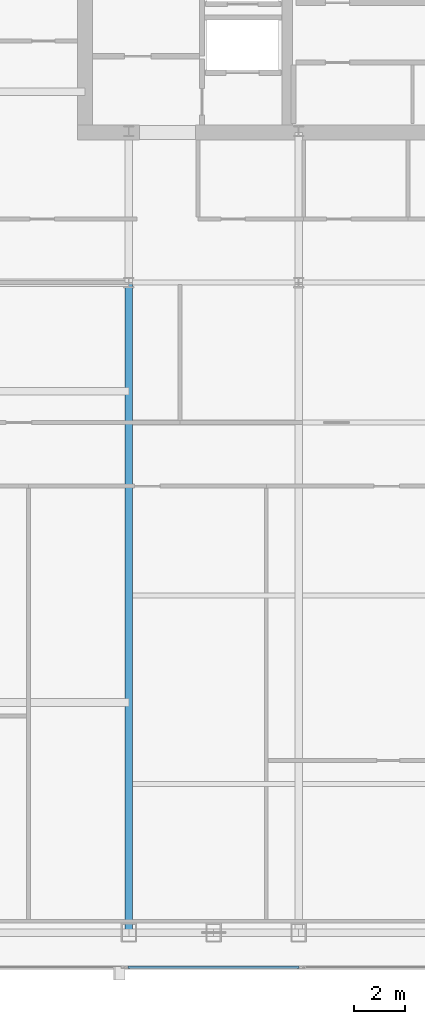
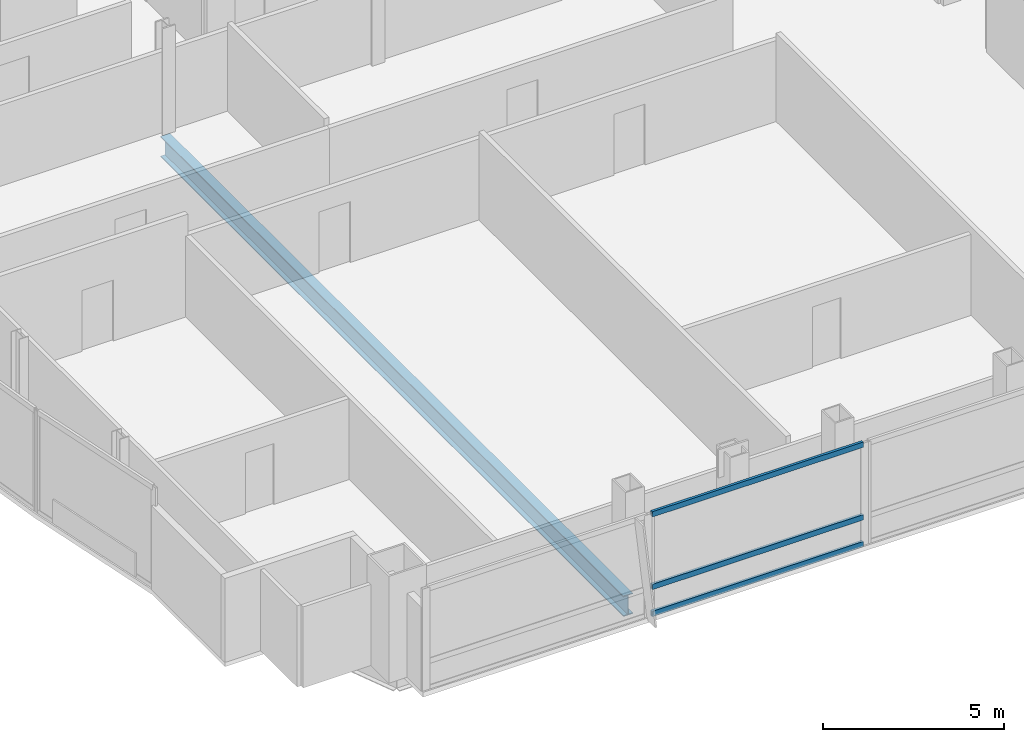
# One storey, part 7 of 30: 3 members, 1 beam, 1 element without a shape of its own.
"""IFC4 building model written with IfcOpenShell, lengths in metres."""

from ifc_helpers import new_model, si_unit, direction, frame, origin, origin_2d, place, context, subcontext, project, spatial, hollow_rectangle, i_section, extrude, material, material_profile, profile_set, type_object, element, aggregate, save


model = new_model("IFC4")

# Units and contexts
model_context = context("Model", 3, precision=1e-05, world=origin(), true_north=direction((0.0, 1.0)))
body_context = subcontext(model_context, "Body", "Model", "MODEL_VIEW")
ifc_project = project(units=[si_unit("LENGTHUNIT", "METRE"), si_unit("AREAUNIT", "SQUARE_METRE"), si_unit("VOLUMEUNIT", "CUBIC_METRE"), si_unit("PLANEANGLEUNIT", "RADIAN"), si_unit("MASSUNIT", "GRAM", prefix="KILO")], contexts=[model_context])

# Site, building, storey
site_placement = place(None, origin())
site = spatial("IfcSite", under=ifc_project, at=site_placement, CompositionType="ELEMENT")
building_placement = place(site_placement, origin())
building = spatial("IfcBuilding", under=site, at=building_placement, Name="Khoronbel Lancet Exchange", CompositionType="ELEMENT")
storey_placement = place(building_placement, frame((0.0, 0.0, 206.60009765625)))
storey = spatial("IfcBuildingStorey", under=building, at=storey_placement, Name="L52", CompositionType="ELEMENT", Elevation=206.60009765625)

# Beam
ifc_material_1 = material(Name="Steel S355", Category="steel")
ifc_material_profile_1 = material_profile(ifc_material_1, i_section(OverallWidth=0.300048828125, OverallDepth=0.699951171875, WebThickness=0.01708984375, FlangeThickness=0.031982421875, at=origin_2d()), Name="HEB 700")
ifc_profile_set_1 = profile_set([ifc_material_profile_1], Name="Steel S355")
beam_type = type_object("IfcBeamType", Name="BM-BG3", PredefinedType="BEAM", material=ifc_profile_set_1)
beam_placement = place(storey_placement, frame((18.22509765625, 10.14990234375, -0.510009765625), z_axis=(0.0, 1.0, 0.0), x_axis=(-1.0, 0.0, 0.0)))
element("IfcBeam", 1, at=beam_placement, inside=storey, type_object=beam_type, Name="Level L52 south primary girder GS1", PredefinedType="BEAM", context=body_context, shape_type="SweptSolid", body=[
    extrude(i_section(OverallWidth=0.300048828125, OverallDepth=0.699951171875, WebThickness=0.01708984375, FlangeThickness=0.031982421875, at=origin_2d()), origin(), (0.0, 0.0, 1.0), 25.550048828125),
])

# Curtain wall, members
ifc_material_2 = material(Name="Low-E Solar Control Insulating Glass", Category="glass")
curtain_wall_type = type_object("IfcCurtainWallType", Name="CW-3", PredefinedType="NOTDEFINED", material=ifc_material_2)
curtain_wall_placement = place(storey_placement, origin())
curtain_wall = element("IfcCurtainWall", 2, at=curtain_wall_placement, inside=storey, type_object=curtain_wall_type, Name="Unitised curtain wall CW-L52-SWB", PredefinedType="NOTDEFINED")
ifc_material_3 = material(Name="Bronze-Anodised Aluminium 6063-T6", Category="aluminium")
ifc_material_profile_2 = material_profile(ifc_material_3, hollow_rectangle(XDim=0.0849609375, YDim=0.179931640625, WallThickness=0.0048828125, at=origin_2d()), Name="ALU TRANSOM 85x180")
ifc_profile_set_2 = profile_set([ifc_material_profile_2], Name="Bronze-Anodised Aluminium 6063-T6")
member_type = type_object("IfcMemberType", Name="MEM-CWT1", PredefinedType="USERDEFINED", material=ifc_profile_set_2)
member_1_placement = place(storey_placement, frame((18.18505859375, 8.7900390625, 0.04248046875), z_axis=(1.0, 0.0, 0.0), x_axis=(0.0, 1.0, 0.0)))
member_1 = element("IfcMember", 3, at=member_1_placement, type_object=member_type, Name="CW3 transom 1.1", ObjectType="TRANSOM", PredefinedType="USERDEFINED", context=body_context, shape_type="SweptSolid", body=[
    extrude(hollow_rectangle(XDim=0.0849609375, YDim=0.179931640625, WallThickness=0.0048828125, at=origin_2d()), origin(), (0.0, 0.0, 1.0), 6.72998046875),
])
member_2_placement = place(storey_placement, frame((18.18505859375, 8.7900390625, 0.949951171875), z_axis=(1.0, 0.0, 0.0), x_axis=(0.0, 1.0, 0.0)))
member_2 = element("IfcMember", 4, at=member_2_placement, type_object=member_type, Name="CW3 transom 1.2", ObjectType="TRANSOM", PredefinedType="USERDEFINED", context=body_context, shape_type="SweptSolid", body=[
    extrude(hollow_rectangle(XDim=0.0849609375, YDim=0.179931640625, WallThickness=0.0048828125, at=origin_2d()), origin(), (0.0, 0.0, 1.0), 6.72998046875),
])
member_3_placement = place(storey_placement, frame((18.18505859375, 8.7900390625, 3.3974609375), z_axis=(1.0, 0.0, 0.0), x_axis=(0.0, 1.0, 0.0)))
member_3 = element("IfcMember", 5, at=member_3_placement, type_object=member_type, Name="CW3 transom 1.3", ObjectType="TRANSOM", PredefinedType="USERDEFINED", context=body_context, shape_type="SweptSolid", body=[
    extrude(hollow_rectangle(XDim=0.0849609375, YDim=0.179931640625, WallThickness=0.0048828125, at=origin_2d()), origin(), (0.0, 0.0, 1.0), 6.72998046875),
])
aggregate(curtain_wall, [member_1, member_2, member_3])

save(model, "model.ifc")
